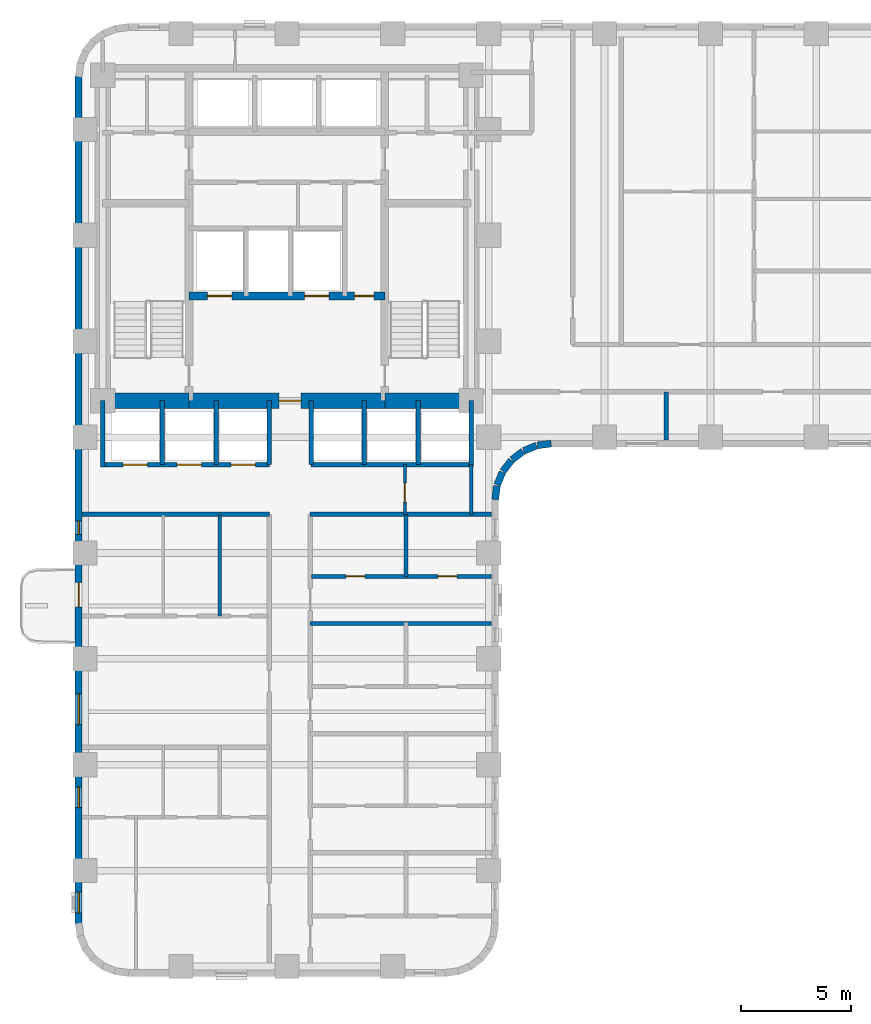
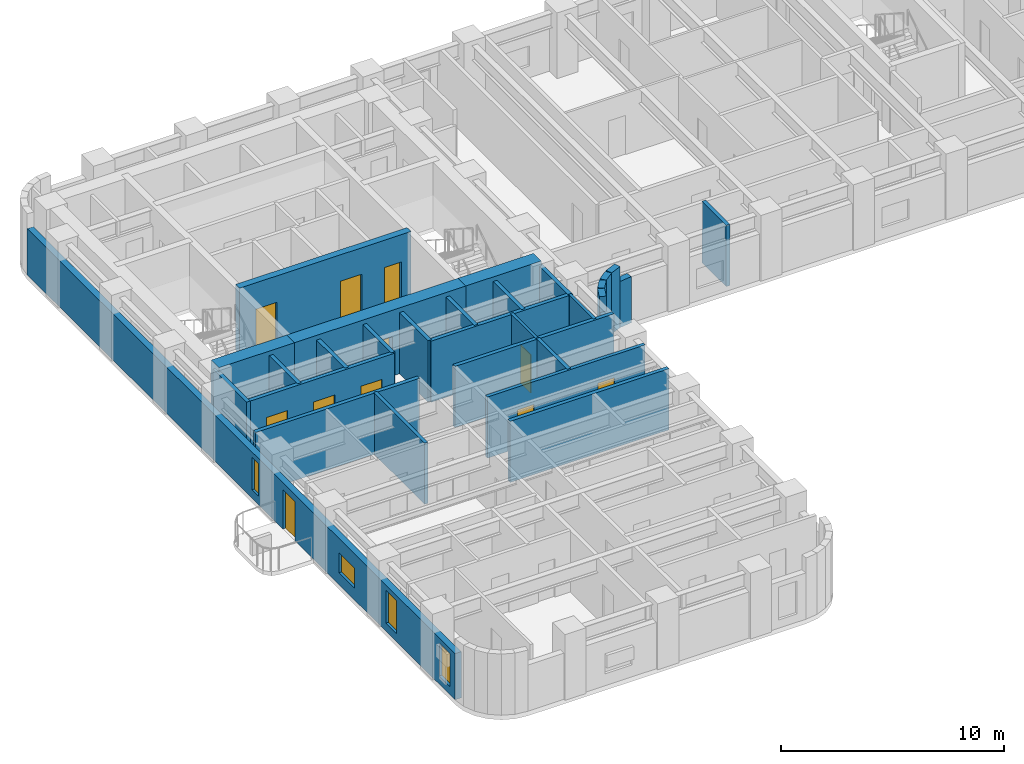
# One storey, part 4 of 12: 30 walls, 11 doors, 4 windows, 15 openings.
"""IFC4 building model written with IfcOpenShell, lengths in metres."""

from ifc_helpers import new_model, si_unit, direction, frame, frame_2d, origin, place, context, subcontext, project, spatial, rectangle, extrude, material, layer, layer_set, type_object, element, fill, save


model = new_model("IFC4")

# Units and contexts
model_context = context("Model", 3, precision=1e-05, world=origin(), true_north=direction((0.0, 1.0)))
body_context = subcontext(model_context, "Body", "Model", "MODEL_VIEW")
ifc_project = project(units=[si_unit("LENGTHUNIT", "METRE"), si_unit("AREAUNIT", "SQUARE_METRE"), si_unit("VOLUMEUNIT", "CUBIC_METRE"), si_unit("PLANEANGLEUNIT", "RADIAN"), si_unit("MASSUNIT", "GRAM", prefix="KILO")], contexts=[model_context])

# Site, building, storey
site_placement = place(None, origin())
site = spatial("IfcSite", under=ifc_project, at=site_placement, CompositionType="ELEMENT")
building_placement = place(site_placement, origin())
building = spatial("IfcBuilding", under=site, at=building_placement, Name="Orvandelia Arch Residences", CompositionType="ELEMENT")
storey_placement = place(building_placement, frame((0.0, 0.0, 57.39990234375)))
storey = spatial("IfcBuildingStorey", under=building, at=storey_placement, Name="L14", CompositionType="ELEMENT", Elevation=57.39990234375)

# Wall, openings, doors
ifc_material_1 = material(Name="Concrete C50/60", Category="concrete")
ifc_layer_1 = layer(ifc_material_1, 0.35009765625, Name="Concrete C50/60", Category="concrete")
ifc_layer_set_1 = layer_set([ifc_layer_1], Name="Concrete C50/60")
wall_type_1 = type_object("IfcWallType", Name="WL-CORE-350", PredefinedType="SHEAR", material=ifc_layer_set_1)
wall_1_placement = place(storey_placement, frame((9.9599609375, 35.64990234375, 0.0), z_axis=(0.0, 0.0, 1.0), x_axis=(1.0, 0.0, 0.0)))
wall_1 = element("IfcWall", 1, at=wall_1_placement, inside=storey, type_object=wall_type_1, Name="Core Shear Wall L14-HZ3", PredefinedType="SHEAR", context=body_context, shape_type="SweptSolid", body=[
    extrude(rectangle(XDim=8.880126953125, YDim=0.35009765625, at=frame_2d((4.43994140625, 0.0))), origin(), (0.0, 0.0, 1.0), 3.60009765625),
])
opening_1_placement = place(wall_1_placement, frame((0.840087890625, 0.0, 0.0)))
opening_1 = element("IfcOpeningElement", 2, at=opening_1_placement, cuts=wall_1, Name="Opening FLD", PredefinedType="OPENING", context=body_context, shape_type="SweptSolid", body=[
    extrude(rectangle(XDim=1.10009765625, YDim=2.14990234375, at=frame_2d((0.550048828125, 1.074951171875))), frame((0.0, 0.18505859375, 0.0), z_axis=(0.0, -1.0, 0.0), x_axis=(1.0, 0.0, 0.0)), (0.0, 0.0, 1.0), 0.3701171875),
])
opening_2_placement = place(wall_1_placement, frame((5.239990234375, 0.0, 0.0)))
opening_2 = element("IfcOpeningElement", 3, at=opening_2_placement, cuts=wall_1, Name="Opening FLD", PredefinedType="OPENING", context=body_context, shape_type="SweptSolid", body=[
    extrude(rectangle(XDim=1.10009765625, YDim=2.14990234375, at=frame_2d((0.550048828125, 1.074951171875))), frame((0.0, 0.18505859375, 0.0), z_axis=(0.0, -1.0, 0.0), x_axis=(1.0, 0.0, 0.0)), (0.0, 0.0, 1.0), 0.3701171875),
])
opening_3_placement = place(wall_1_placement, frame((7.5, 0.0, 0.0)))
opening_3 = element("IfcOpeningElement", 4, at=opening_3_placement, cuts=wall_1, Name="Opening D5", PredefinedType="OPENING", context=body_context, shape_type="SweptSolid", body=[
    extrude(rectangle(XDim=0.8798828125, YDim=2.10009765625, at=frame_2d((0.43994140625, 1.050048828125))), frame((0.0, 0.18505859375, 0.0), z_axis=(0.0, -1.0, 0.0), x_axis=(1.0, 0.0, 0.0)), (0.0, 0.0, 1.0), 0.3701171875),
])
ifc_material_2 = material(Name="Firefighting Lift Stainless Sliding Door")
door_type_1 = type_object("IfcDoorType", Name="DR-FLFT-1100", OperationType="NOTDEFINED", PredefinedType="DOOR", material=ifc_material_2)
door_1_placement = place(opening_1_placement, origin())
door_1 = element("IfcDoor", 5, at=door_1_placement, inside=storey, type_object=door_type_1, Name="Firefighting Lift Landing Door FLD-FL1-L14", OperationType="SLIDING_TO_LEFT", OverallHeight=2.14990234375, OverallWidth=1.10009765625, PredefinedType="DOOR", context=body_context, shape_type="SweptSolid", body=[
    extrude(rectangle(XDim=1.10009765625, YDim=2.14990234375, at=frame_2d((0.550048828125, 1.074951171875))), frame((0.0, 0.02490234375, 0.0), z_axis=(0.0, -1.0, 0.0), x_axis=(1.0, 0.0, 0.0)), (0.0, 0.0, 1.0), 0.050048828125),
])
fill(opening_1, door_1)
door_2_placement = place(opening_2_placement, origin())
door_2 = element("IfcDoor", 6, at=door_2_placement, inside=storey, type_object=door_type_1, Name="Firefighting Lift Landing Door FLD-FL2-L14", OperationType="SLIDING_TO_RIGHT", OverallHeight=2.14990234375, OverallWidth=1.10009765625, PredefinedType="DOOR", context=body_context, shape_type="SweptSolid", body=[
    extrude(rectangle(XDim=1.10009765625, YDim=2.14990234375, at=frame_2d((0.550048828125, 1.074951171875))), frame((0.0, 0.02490234375, 0.0), z_axis=(0.0, -1.0, 0.0), x_axis=(1.0, 0.0, 0.0)), (0.0, 0.0, 1.0), 0.050048828125),
])
fill(opening_2, door_2)
ifc_material_3 = material(Name="Painted Galvanised Steel Service Door", Category="steel")
door_type_2 = type_object("IfcDoorType", Name="DR-SRV-880", OperationType="NOTDEFINED", PredefinedType="DOOR", material=ifc_material_3)
door_3_placement = place(opening_3_placement, origin())
door_3 = element("IfcDoor", 7, at=door_3_placement, inside=storey, type_object=door_type_2, Name="Core Stairway Passage South Fire Door L14", OperationType="SINGLE_SWING_LEFT", OverallHeight=2.10009765625, OverallWidth=0.8798828125, PredefinedType="DOOR", context=body_context, shape_type="SweptSolid", body=[
    extrude(rectangle(XDim=0.8798828125, YDim=2.10009765625, at=frame_2d((0.43994140625, 1.050048828125))), frame((0.0, 0.02490234375, 0.0), z_axis=(0.0, -1.0, 0.0), x_axis=(1.0, 0.0, 0.0)), (0.0, 0.0, 1.0), 0.050048828125),
])
fill(opening_3, door_3)

# Wall
ifc_material_4 = material(Name="Concrete C80/95", Category="concrete")
ifc_layer_2 = layer(ifc_material_4, 0.699951171875, Name="Concrete C80/95", Category="concrete")
ifc_layer_set_2 = layer_set([ifc_layer_2], Name="Concrete C80/95")
wall_type_2 = type_object("IfcWallType", Name="WL-CORE-700", PredefinedType="SHEAR", material=ifc_layer_set_2)
wall_2_placement = place(storey_placement, frame((6.050048828125, 30.89990234375, 0.0), z_axis=(0.0, 0.0, 1.0), x_axis=(1.0, 0.0, 0.0)))
element("IfcWall", 8, at=wall_2_placement, inside=storey, type_object=wall_type_2, Name="Core Shear Wall L14-SW", PredefinedType="SHEAR", context=body_context, shape_type="SweptSolid", body=[
    extrude(rectangle(XDim=3.909912109375, YDim=0.699951171875, at=frame_2d((1.955078125, 0.0))), origin(), (0.0, 0.0, 1.0), 3.60009765625),
])

# Wall, opening, door
wall_3_placement = place(storey_placement, frame((9.9599609375, 30.89990234375, 0.0), z_axis=(0.0, 0.0, 1.0), x_axis=(1.0, 0.0, 0.0)))
wall_3 = element("IfcWall", 9, at=wall_3_placement, inside=storey, type_object=wall_type_2, Name="Core Shear Wall L14-SM", PredefinedType="SHEAR", context=body_context, shape_type="SweptSolid", body=[
    extrude(rectangle(XDim=8.880126953125, YDim=0.699951171875, at=frame_2d((4.43994140625, 0.0))), origin(), (0.0, 0.0, 1.0), 3.60009765625),
])
opening_4_placement = place(wall_3_placement, frame((4.090087890625, 0.0, 0.0)))
opening_4 = element("IfcOpeningElement", 10, at=opening_4_placement, cuts=wall_3, Name="Opening D6", PredefinedType="OPENING", context=body_context, shape_type="SweptSolid", body=[
    extrude(rectangle(XDim=1.0, YDim=2.14990234375, at=frame_2d((0.5, 1.074951171875))), frame((0.0, 0.35986328125, 0.0), z_axis=(0.0, -1.0, 0.0), x_axis=(1.0, 0.0, 0.0)), (0.0, 0.0, 1.0), 0.719970703125),
])
ifc_material_5 = material(Name="Smokeproof Painted Steel Fire Door", Category="steel")
door_type_3 = type_object("IfcDoorType", Name="DR-FD60-1000", OperationType="NOTDEFINED", PredefinedType="DOOR", material=ifc_material_5)
door_4_placement = place(opening_4_placement, origin())
door_4 = element("IfcDoor", 11, at=door_4_placement, inside=storey, type_object=door_type_3, Name="Firefighting Lobby Smokeproof Door L14", OperationType="SINGLE_SWING_LEFT", OverallHeight=2.14990234375, OverallWidth=1.0, PredefinedType="DOOR", context=body_context, shape_type="SweptSolid", body=[
    extrude(rectangle(XDim=1.0, YDim=2.14990234375, at=frame_2d((0.5, 1.074951171875))), frame((0.0, 0.02490234375, 0.0), z_axis=(0.0, -1.0, 0.0), x_axis=(1.0, 0.0, 0.0)), (0.0, 0.0, 1.0), 0.050048828125),
])
fill(opening_4, door_4)

# Walls
wall_4_placement = place(storey_placement, frame((18.840087890625, 30.89990234375, 0.0), z_axis=(0.0, 0.0, 1.0), x_axis=(1.0, 0.0, 0.0)))
element("IfcWall", 12, at=wall_4_placement, inside=storey, type_object=wall_type_2, Name="Core Shear Wall L14-SE", PredefinedType="SHEAR", context=body_context, shape_type="SweptSolid", body=[
    extrude(rectangle(XDim=3.909912109375, YDim=0.699951171875, at=frame_2d((1.955078125, 0.0))), origin(), (0.0, 0.0, 1.0), 3.60009765625),
])
ifc_material_6 = material(Name="Fire-Rated Corridor Partition")
ifc_layer_3 = layer(ifc_material_6, 0.199951171875, Name="Fire-Rated Corridor Partition")
ifc_layer_set_3 = layer_set([ifc_layer_3], Name="Fire-Rated Corridor Partition")
wall_type_3 = type_object("IfcWallType", Name="WL-CORR-200", PredefinedType="PARTITIONING", material=ifc_layer_set_3)
wall_5_placement = place(storey_placement, frame((5.1201171875, 25.75, 0.0), z_axis=(0.0, 0.0, 1.0), x_axis=(1.0, 0.0, 0.0)))
element("IfcWall", 13, at=wall_5_placement, inside=storey, type_object=wall_type_3, Name="Interior Partition Wall WL-L14-WCLS-W", PredefinedType="PARTITIONING", context=body_context, shape_type="SweptSolid", body=[
    extrude(rectangle(XDim=8.47998046875, YDim=0.199951171875, at=frame_2d((4.239990234375, 0.0))), origin(), (0.0, 0.0, 1.0), 3.35009765625),
])
wall_6_placement = place(storey_placement, frame((15.449951171875, 25.75, 0.0), z_axis=(0.0, 0.0, 1.0), x_axis=(1.0, 0.0, 0.0)))
element("IfcWall", 14, at=wall_6_placement, inside=storey, type_object=wall_type_3, Name="Interior Partition Wall WL-L14-WCLS-E", PredefinedType="PARTITIONING", context=body_context, shape_type="SweptSolid", body=[
    extrude(rectangle(XDim=8.22998046875, YDim=0.199951171875, at=frame_2d((4.114990234375, 0.0))), origin(), (0.0, 0.0, 1.0), 3.35009765625),
])
ifc_material_7 = material(Name="Concrete C40/50", Category="concrete")
ifc_layer_4 = layer(ifc_material_7, 0.199951171875, Name="Concrete C40/50", Category="concrete")
ifc_layer_set_4 = layer_set([ifc_layer_4], Name="Concrete C40/50")
wall_type_4 = type_object("IfcWallType", Name="WL-DEM-200", PredefinedType="SOLIDWALL", material=ifc_layer_set_4)
wall_7_placement = place(storey_placement, frame((15.449951171875, 20.800048828125, 0.0), z_axis=(0.0, 0.0, 1.0), x_axis=(1.0, 0.0, 0.0)))
element("IfcWall", 15, at=wall_7_placement, inside=storey, type_object=wall_type_4, Name="Interior Partition Wall WL-L14-DEM-WR-208", PredefinedType="SOLIDWALL", context=body_context, shape_type="SweptSolid", body=[
    extrude(rectangle(XDim=8.22998046875, YDim=0.199951171875, at=frame_2d((4.114990234375, 0.0))), origin(), (0.0, 0.0, 1.0), 3.35009765625),
])
wall_8_placement = place(storey_placement, frame((31.60009765625, 29.1201171875, 0.0), z_axis=(0.0, 0.0, 1.0), x_axis=(0.0, 1.0, 0.0)))
element("IfcWall", 16, at=wall_8_placement, inside=storey, type_object=wall_type_4, Name="Interior Partition Wall WL-L14-ESSD-1", PredefinedType="SOLIDWALL", context=body_context, shape_type="SweptSolid", body=[
    extrude(rectangle(XDim=2.179931640625, YDim=0.199951171875, at=frame_2d((1.08984375, 0.0))), origin(), (0.0, 0.0, 1.0), 3.35009765625),
])
ifc_material_8 = material(Name="Precast concrete C40/50", Category="concrete")
ifc_layer_5 = layer(ifc_material_8, 0.320068359375, Name="Precast concrete C40/50", Category="concrete")
ifc_layer_set_5 = layer_set([ifc_layer_5], Name="Precast concrete C40/50")
wall_type_5 = type_object("IfcWallType", Name="WL-EXT-STONE-320", PredefinedType="STANDARD", material=ifc_layer_set_5)
wall_9_placement = place(storey_placement, frame((26.379150390625, 28.95849609375, 0.0), z_axis=(0.0, 0.0, 1.0), x_axis=(-0.991447664465, -0.130504898859, 0.0)))
element("IfcWall", 17, at=wall_9_placement, inside=storey, type_object=wall_type_5, Name="Coral-Limestone Precast Facade Wall L14-022", PredefinedType="STANDARD", context=body_context, shape_type="SweptSolid", body=[
    extrude(rectangle(XDim=0.626708984375, YDim=0.320068359375, at=frame_2d((0.3134765625, 0.0))), origin(), (0.0, 0.0, 1.0), 2.530029296875),
])
wall_10_placement = place(storey_placement, frame((25.717529296875, 28.865966796875, 0.0), z_axis=(0.0, 0.0, 1.0), x_axis=(-0.923836271867, -0.382787856107, 0.0)))
element("IfcWall", 18, at=wall_10_placement, inside=storey, type_object=wall_type_5, Name="Coral-Limestone Precast Facade Wall L14-023", PredefinedType="STANDARD", context=body_context, shape_type="SweptSolid", body=[
    extrude(rectangle(XDim=0.626220703125, YDim=0.320068359375, at=frame_2d((0.31298828125, 0.0))), origin(), (0.0, 0.0, 1.0), 3.35009765625),
])
for number, where, z_axis, x_axis, name in (
    (19, (25.1025390625, 28.60546875, 0.0), (0.0, 0.0, 1.0), (-0.793405610854, -0.608693302629, 0.0), "Coral-Limestone Precast Facade Wall L14-024"),
    (20, (24.575927734375, 28.194580078125, 0.0), (0.0, 0.0, 1.0), (-0.608693302629, -0.793405610854, 0.0), "Coral-Limestone Precast Facade Wall L14-025"),
):
    element("IfcWall", number, at=place(storey_placement, frame(where, z_axis=z_axis, x_axis=x_axis)), inside=storey, type_object=wall_type_5, Name=name, PredefinedType="STANDARD", context=body_context, shape_type="SweptSolid", body=[
        extrude(rectangle(XDim=0.62646484375, YDim=0.320068359375, at=frame_2d((0.313232421875, 0.0))), origin(), (0.0, 0.0, 1.0), 3.35009765625),
    ])
wall_11_placement = place(storey_placement, frame((24.173583984375, 27.6611328125, 0.0), z_axis=(0.0, 0.0, 1.0), x_axis=(-0.382455093999, -0.923974080304, 0.0)))
element("IfcWall", 21, at=wall_11_placement, inside=storey, type_object=wall_type_5, Name="Coral-Limestone Precast Facade Wall L14-026", PredefinedType="STANDARD", context=body_context, shape_type="SweptSolid", body=[
    extrude(rectangle(XDim=0.626220703125, YDim=0.320068359375, at=frame_2d((0.31298828125, 0.0))), origin(), (0.0, 0.0, 1.0), 3.35009765625),
])
wall_12_placement = place(storey_placement, frame((23.923095703125, 27.0419921875, 0.0), z_axis=(0.0, 0.0, 1.0), x_axis=(-0.130555323746, -0.9914410257, 0.0)))
element("IfcWall", 22, at=wall_12_placement, inside=storey, type_object=wall_type_5, Name="Coral-Limestone Precast Facade Wall L14-027", PredefinedType="STANDARD", context=body_context, shape_type="SweptSolid", body=[
    extrude(rectangle(XDim=0.62646484375, YDim=0.320068359375, at=frame_2d((0.313232421875, 0.0))), origin(), (0.0, 0.0, 1.0), 2.530029296875),
])

# Wall, openings, door, windows
wall_13_placement = place(storey_placement, frame((4.9599609375, 7.199951171875, 0.0), z_axis=(0.0, 0.0, 1.0), x_axis=(0.0, 1.0, 0.0)))
wall_13 = element("IfcWall", 23, at=wall_13_placement, inside=storey, type_object=wall_type_5, Name="Coral-Limestone Precast Facade Wall L14-042", PredefinedType="STANDARD", context=body_context, shape_type="SweptSolid", body=[
    extrude(rectangle(XDim=38.400146484375, YDim=0.320068359375, at=frame_2d((19.2001953125, 0.0))), origin(), (0.0, 0.0, 1.0), 2.530029296875),
])
opening_5_placement = place(wall_13_placement, frame((14.35009765625, 0.0, 0.0)))
opening_5 = element("IfcOpeningElement", 24, at=opening_5_placement, cuts=wall_13, Name="Opening BD1", PredefinedType="OPENING", context=body_context, shape_type="SweptSolid", body=[
    extrude(rectangle(XDim=1.10009765625, YDim=2.14990234375, at=frame_2d((0.550048828125, 1.074951171875))), frame((0.0, 0.169921875, 0.0), z_axis=(0.0, -1.0, 0.0), x_axis=(1.0, 0.0, 0.0)), (0.0, 0.0, 1.0), 0.340087890625),
])
opening_6_placement = place(wall_13_placement, frame((5.2490234375, 0.0, 0.449951171875)))
opening_6 = element("IfcOpeningElement", 25, at=opening_6_placement, cuts=wall_13, Name="Opening W4", PredefinedType="OPENING", context=body_context, shape_type="SweptSolid", body=[
    extrude(rectangle(XDim=0.949951171875, YDim=1.800048828125, at=frame_2d((0.47509765625, 0.89990234375))), frame((0.0, 0.169921875, 0.0), z_axis=(0.0, -1.0, 0.0), x_axis=(1.0, 0.0, 0.0)), (0.0, 0.0, 1.0), 0.340087890625),
])
opening_7_placement = place(wall_13_placement, frame((17.64501953125, 0.0, 0.449951171875)))
opening_7 = element("IfcOpeningElement", 26, at=opening_7_placement, cuts=wall_13, Name="Opening W12", PredefinedType="OPENING", context=body_context, shape_type="SweptSolid", body=[
    extrude(rectangle(XDim=0.60009765625, YDim=1.800048828125, at=frame_2d((0.300048828125, 0.89990234375))), frame((0.0, 0.169921875, 0.0), z_axis=(0.0, -1.0, 0.0), x_axis=(1.0, 0.0, 0.0)), (0.0, 0.0, 1.0), 0.340087890625),
])
opening_8_placement = place(wall_13_placement, frame((0.469970703125, 0.0, 0.449951171875)))
opening_8 = element("IfcOpeningElement", 27, at=opening_8_placement, cuts=wall_13, Name="Opening W4", PredefinedType="OPENING", context=body_context, shape_type="SweptSolid", body=[
    extrude(rectangle(XDim=0.949951171875, YDim=1.800048828125, at=frame_2d((0.47509765625, 0.89990234375))), frame((0.0, 0.169921875, 0.0), z_axis=(0.0, -1.0, 0.0), x_axis=(1.0, 0.0, 0.0)), (0.0, 0.0, 1.0), 0.340087890625),
])
opening_9_placement = place(wall_13_placement, frame((9.014892578125, 0.0, 0.64990234375)))
opening_9 = element("IfcOpeningElement", 28, at=opening_9_placement, cuts=wall_13, Name="Opening W10", PredefinedType="OPENING", context=body_context, shape_type="SweptSolid", body=[
    extrude(rectangle(XDim=1.39990234375, YDim=1.10009765625, at=frame_2d((0.699951171875, 0.550048828125))), frame((0.0, 0.169921875, 0.0), z_axis=(0.0, -1.0, 0.0), x_axis=(1.0, 0.0, 0.0)), (0.0, 0.0, 1.0), 0.340087890625),
])
ifc_material_9 = material(Name="Thermally Broken Aluminium Glazed Door", Category="aluminium")
door_type_4 = type_object("IfcDoorType", Name="DR-BAL-GLAZ-1100", OperationType="NOTDEFINED", PredefinedType="DOOR", material=ifc_material_9)
door_5_placement = place(opening_5_placement, origin())
door_5 = element("IfcDoor", 29, at=door_5_placement, inside=storey, type_object=door_type_4, Name="Tree Balcony Glazed Door BAL-L14-W1", OperationType="SINGLE_SWING_RIGHT", OverallHeight=2.14990234375, OverallWidth=1.10009765625, PredefinedType="DOOR", context=body_context, shape_type="SweptSolid", body=[
    extrude(rectangle(XDim=1.10009765625, YDim=2.14990234375, at=frame_2d((0.550048828125, 1.074951171875))), frame((0.0, 0.02490234375, 0.0), z_axis=(0.0, -1.0, 0.0), x_axis=(1.0, 0.0, 0.0)), (0.0, 0.0, 1.0), 0.050048828125),
])
fill(opening_5, door_5)
ifc_material_10 = material(Name="Tempered Low-E Insulated Glazing", Category="glass")
window_type_1 = type_object("IfcWindowType", Name="WIN-CLR-1400x1100", PartitioningType="SINGLE_PANEL", PredefinedType="WINDOW", material=ifc_material_10)
window_1_placement = place(opening_9_placement, origin())
window_1 = element("IfcWindow", 30, at=window_1_placement, inside=storey, type_object=window_type_1, Name="Recessed Punched Window L14-028", OverallHeight=1.10009765625, OverallWidth=1.39990234375, PartitioningType="SINGLE_PANEL", PredefinedType="WINDOW", context=body_context, shape_type="SweptSolid", body=[
    extrude(rectangle(XDim=1.39990234375, YDim=1.10009765625, at=frame_2d((0.699951171875, 0.550048828125))), frame((0.0, 0.030029296875, 0.0), z_axis=(0.0, -1.0, 0.0), x_axis=(1.0, 0.0, 0.0)), (0.0, 0.0, 1.0), 0.06005859375),
])
fill(opening_9, window_1)
window_type_2 = type_object("IfcWindowType", Name="WIN-LAN-0600x1800", PartitioningType="SINGLE_PANEL", PredefinedType="WINDOW", material=ifc_material_10)
window_2_placement = place(opening_7_placement, origin())
window_2 = element("IfcWindow", 31, at=window_2_placement, inside=storey, type_object=window_type_2, Name="Recessed Punched Window L14-026", OverallHeight=1.800048828125, OverallWidth=0.60009765625, PartitioningType="SINGLE_PANEL", PredefinedType="WINDOW", context=body_context, shape_type="SweptSolid", body=[
    extrude(rectangle(XDim=0.60009765625, YDim=1.800048828125, at=frame_2d((0.300048828125, 0.89990234375))), frame((0.0, 0.030029296875, 0.0), z_axis=(0.0, -1.0, 0.0), x_axis=(1.0, 0.0, 0.0)), (0.0, 0.0, 1.0), 0.06005859375),
])
fill(opening_7, window_2)
window_type_3 = type_object("IfcWindowType", Name="WIN-RES-0950x1800", PartitioningType="SINGLE_PANEL", PredefinedType="WINDOW", material=ifc_material_10)
window_3_placement = place(opening_6_placement, origin())
window_3 = element("IfcWindow", 32, at=window_3_placement, inside=storey, type_object=window_type_3, Name="Recessed Punched Window L14-025", OverallHeight=1.800048828125, OverallWidth=0.949951171875, PartitioningType="SINGLE_PANEL", PredefinedType="WINDOW", context=body_context, shape_type="SweptSolid", body=[
    extrude(rectangle(XDim=0.949951171875, YDim=1.800048828125, at=frame_2d((0.47509765625, 0.89990234375))), frame((0.0, 0.030029296875, 0.0), z_axis=(0.0, -1.0, 0.0), x_axis=(1.0, 0.0, 0.0)), (0.0, 0.0, 1.0), 0.06005859375),
])
fill(opening_6, window_3)
window_4_placement = place(opening_8_placement, origin())
window_4 = element("IfcWindow", 33, at=window_4_placement, inside=storey, type_object=window_type_3, Name="Recessed Punched Window L14-027", OverallHeight=1.800048828125, OverallWidth=0.949951171875, PartitioningType="SINGLE_PANEL", PredefinedType="WINDOW", context=body_context, shape_type="SweptSolid", body=[
    extrude(rectangle(XDim=0.949951171875, YDim=1.800048828125, at=frame_2d((0.47509765625, 0.89990234375))), frame((0.0, 0.030029296875, 0.0), z_axis=(0.0, -1.0, 0.0), x_axis=(1.0, 0.0, 0.0)), (0.0, 0.0, 1.0), 0.06005859375),
])
fill(opening_8, window_4)

# Wall, opening, door
ifc_material_11 = material(Name="Acoustic Gypsum Stud Partition")
ifc_layer_6 = layer(ifc_material_11, 0.14990234375, Name="Acoustic Gypsum Stud Partition")
ifc_layer_set_6 = layer_set([ifc_layer_6], Name="Acoustic Gypsum Stud Partition")
wall_type_6 = type_object("IfcWallType", Name="WL-PART-150", PredefinedType="PARTITIONING", material=ifc_layer_set_6)
wall_14_placement = place(storey_placement, frame((19.75, 25.75, 0.0), z_axis=(0.0, 0.0, 1.0), x_axis=(0.0, 1.0, 0.0)))
wall_14 = element("IfcWall", 34, at=wall_14_placement, inside=storey, type_object=wall_type_6, Name="Interior Partition Wall WL-L14-HLS-EW3", PredefinedType="PARTITIONING", context=body_context, shape_type="SweptSolid", body=[
    extrude(rectangle(XDim=2.25, YDim=0.14990234375, at=frame_2d((1.125, 0.0))), origin(), (0.0, 0.0, 1.0), 3.35009765625),
])
opening_10_placement = place(wall_14_placement, frame((0.550048828125, 0.0, 0.0)))
opening_10 = element("IfcOpeningElement", 35, at=opening_10_placement, cuts=wall_14, Name="Opening D5", PredefinedType="OPENING", context=body_context, shape_type="SweptSolid", body=[
    extrude(rectangle(XDim=0.8798828125, YDim=2.10009765625, at=frame_2d((0.43994140625, 1.050048828125))), frame((0.0, 0.0849609375, 0.0), z_axis=(0.0, -1.0, 0.0), x_axis=(1.0, 0.0, 0.0)), (0.0, 0.0, 1.0), 0.169921875),
])
door_6_placement = place(opening_10_placement, origin())
door_6 = element("IfcDoor", 36, at=door_6_placement, inside=storey, type_object=door_type_2, Name="DR-L14-CSZ1A", OperationType="SINGLE_SWING_RIGHT", OverallHeight=2.10009765625, OverallWidth=0.8798828125, PredefinedType="DOOR", context=body_context, shape_type="SweptSolid", body=[
    extrude(rectangle(XDim=0.8798828125, YDim=2.10009765625, at=frame_2d((0.43994140625, 1.050048828125))), frame((0.0, 0.02490234375, 0.0), z_axis=(0.0, -1.0, 0.0), x_axis=(1.0, 0.0, 0.0)), (0.0, 0.0, 1.0), 0.050048828125),
])
fill(opening_10, door_6)

# Wall
wall_15_placement = place(storey_placement, frame((22.75, 25.75, 0.0), z_axis=(0.0, 0.0, 1.0), x_axis=(0.0, 1.0, 0.0)))
element("IfcWall", 37, at=wall_15_placement, inside=storey, type_object=wall_type_6, Name="Interior Partition Wall WL-L14-HLS-EE", PredefinedType="PARTITIONING", context=body_context, shape_type="SweptSolid", body=[
    extrude(rectangle(XDim=2.25, YDim=0.14990234375, at=frame_2d((1.125, 0.0))), origin(), (0.0, 0.0, 1.0), 3.35009765625),
])

# Wall, openings, doors
ifc_material_12 = material(Name="Fire-Rated Shaft Enclosure Wall")
ifc_layer_7 = layer(ifc_material_12, 0.199951171875, Name="Fire-Rated Shaft Enclosure Wall")
ifc_layer_set_7 = layer_set([ifc_layer_7], Name="Fire-Rated Shaft Enclosure Wall")
wall_type_7 = type_object("IfcWallType", Name="WL-SHAFT-200", PredefinedType="POLYGONAL", material=ifc_layer_set_7)
wall_16_placement = place(storey_placement, frame((6.050048828125, 28.0, 0.0), z_axis=(0.0, 0.0, 1.0), x_axis=(1.0, 0.0, 0.0)))
wall_16 = element("IfcWall", 38, at=wall_16_placement, inside=storey, type_object=wall_type_7, Name="Interior Partition Wall WL-L14-BNKL-S", PredefinedType="POLYGONAL", context=body_context, shape_type="SweptSolid", body=[
    extrude(rectangle(XDim=7.550048828125, YDim=0.199951171875, at=frame_2d((3.77490234375, 0.0))), origin(), (0.0, 0.0, 1.0), 3.35009765625),
])
opening_11_placement = place(wall_16_placement, frame((0.925048828125, 0.0, 0.0)))
opening_11 = element("IfcOpeningElement", 39, at=opening_11_placement, cuts=wall_16, Name="Opening LD", PredefinedType="OPENING", context=body_context, shape_type="SweptSolid", body=[
    extrude(rectangle(XDim=1.10009765625, YDim=2.14990234375, at=frame_2d((0.550048828125, 1.074951171875))), frame((0.0, 0.10986328125, 0.0), z_axis=(0.0, -1.0, 0.0), x_axis=(1.0, 0.0, 0.0)), (0.0, 0.0, 1.0), 0.219970703125),
])
opening_12_placement = place(wall_16_placement, frame((3.375, 0.0, 0.0)))
opening_12 = element("IfcOpeningElement", 40, at=opening_12_placement, cuts=wall_16, Name="Opening LD", PredefinedType="OPENING", context=body_context, shape_type="SweptSolid", body=[
    extrude(rectangle(XDim=1.10009765625, YDim=2.14990234375, at=frame_2d((0.550048828125, 1.074951171875))), frame((0.0, 0.10986328125, 0.0), z_axis=(0.0, -1.0, 0.0), x_axis=(1.0, 0.0, 0.0)), (0.0, 0.0, 1.0), 0.219970703125),
])
opening_13_placement = place(wall_16_placement, frame((5.824951171875, 0.0, 0.0)))
opening_13 = element("IfcOpeningElement", 41, at=opening_13_placement, cuts=wall_16, Name="Opening LD", PredefinedType="OPENING", context=body_context, shape_type="SweptSolid", body=[
    extrude(rectangle(XDim=1.10009765625, YDim=2.14990234375, at=frame_2d((0.550048828125, 1.074951171875))), frame((0.0, 0.10986328125, 0.0), z_axis=(0.0, -1.0, 0.0), x_axis=(1.0, 0.0, 0.0)), (0.0, 0.0, 1.0), 0.219970703125),
])
ifc_material_13 = material(Name="Brushed Stainless Steel Sliding Lift Door", Category="steel")
door_type_5 = type_object("IfcDoorType", Name="DR-LIFT-1100", OperationType="NOTDEFINED", PredefinedType="DOOR", material=ifc_material_13)
door_7_placement = place(opening_11_placement, origin())
door_7 = element("IfcDoor", 42, at=door_7_placement, inside=storey, type_object=door_type_5, Name="Lift Landing Door LD-PL1", OperationType="SLIDING_TO_LEFT", OverallHeight=2.14990234375, OverallWidth=1.10009765625, PredefinedType="DOOR", context=body_context, shape_type="SweptSolid", body=[
    extrude(rectangle(XDim=1.10009765625, YDim=2.14990234375, at=frame_2d((0.550048828125, 1.074951171875))), frame((0.0, 0.02490234375, 0.0), z_axis=(0.0, -1.0, 0.0), x_axis=(1.0, 0.0, 0.0)), (0.0, 0.0, 1.0), 0.050048828125),
])
fill(opening_11, door_7)
door_8_placement = place(opening_12_placement, origin())
door_8 = element("IfcDoor", 43, at=door_8_placement, inside=storey, type_object=door_type_5, Name="Lift Landing Door LD-PL2", OperationType="SLIDING_TO_RIGHT", OverallHeight=2.14990234375, OverallWidth=1.10009765625, PredefinedType="DOOR", context=body_context, shape_type="SweptSolid", body=[
    extrude(rectangle(XDim=1.10009765625, YDim=2.14990234375, at=frame_2d((0.550048828125, 1.074951171875))), frame((0.0, 0.02490234375, 0.0), z_axis=(0.0, -1.0, 0.0), x_axis=(1.0, 0.0, 0.0)), (0.0, 0.0, 1.0), 0.050048828125),
])
fill(opening_12, door_8)
door_9_placement = place(opening_13_placement, origin())
door_9 = element("IfcDoor", 44, at=door_9_placement, inside=storey, type_object=door_type_5, Name="Lift Landing Door LD-PL3", OperationType="SLIDING_TO_LEFT", OverallHeight=2.14990234375, OverallWidth=1.10009765625, PredefinedType="DOOR", context=body_context, shape_type="SweptSolid", body=[
    extrude(rectangle(XDim=1.10009765625, YDim=2.14990234375, at=frame_2d((0.550048828125, 1.074951171875))), frame((0.0, 0.02490234375, 0.0), z_axis=(0.0, -1.0, 0.0), x_axis=(1.0, 0.0, 0.0)), (0.0, 0.0, 1.0), 0.050048828125),
])
fill(opening_13, door_9)

# Walls
wall_17_placement = place(storey_placement, frame((15.5, 28.0, 0.0), z_axis=(0.0, 0.0, 1.0), x_axis=(1.0, 0.0, 0.0)))
element("IfcWall", 45, at=wall_17_placement, inside=storey, type_object=wall_type_7, Name="Interior Partition Wall WL-L14-BNKM-S", PredefinedType="POLYGONAL", context=body_context, shape_type="SweptSolid", body=[
    extrude(rectangle(XDim=7.25, YDim=0.199951171875, at=frame_2d((3.625, 0.0))), origin(), (0.0, 0.0, 1.0), 3.35009765625),
])
for number, where, z_axis, x_axis, name in (
    (46, (6.050048828125, 27.89990234375, 0.0), (0.0, 0.0, 1.0), (0.0, 1.0, 0.0), "Interior Partition Wall WL-L14-BNKL-W"),
    (47, (22.75, 27.89990234375, 0.0), (0.0, 0.0, 1.0), (0.0, 1.0, 0.0), "Interior Partition Wall WL-L14-BNKM-E"),
):
    element("IfcWall", number, at=place(storey_placement, frame(where, z_axis=z_axis, x_axis=x_axis)), inside=storey, type_object=wall_type_7, Name=name, PredefinedType="POLYGONAL", context=body_context, shape_type="SweptSolid", body=[
        extrude(rectangle(XDim=3.0, YDim=0.199951171875, at=frame_2d((1.5, 0.0))), origin(), (0.0, 0.0, 1.0), 3.35009765625),
    ])
for number, where, z_axis, x_axis, name in (
    (48, (13.60009765625, 28.0, 0.0), (0.0, 0.0, 1.0), (0.0, 1.0, 0.0), "Interior Partition Wall WL-L14-BNKL-E"),
    (49, (15.5, 28.0, 0.0), (0.0, 0.0, 1.0), (0.0, 1.0, 0.0), "Interior Partition Wall WL-L14-BNKM-W"),
    (50, (8.75, 28.0, 0.0), (0.0, 0.0, 1.0), (0.0, 1.0, 0.0), "Interior Partition Wall WL-L14-BNKD-875"),
    (51, (11.199951171875, 28.0, 0.0), (0.0, 0.0, 1.0), (0.0, 1.0, 0.0), "Interior Partition Wall WL-L14-BNKD-1120"),
    (52, (17.89990234375, 28.0, 0.0), (0.0, 0.0, 1.0), (0.0, 1.0, 0.0), "Interior Partition Wall WL-L14-BNKD-1789"),
    (53, (20.35009765625, 28.0, 0.0), (0.0, 0.0, 1.0), (0.0, 1.0, 0.0), "Interior Partition Wall WL-L14-BNKD-2035"),
):
    element("IfcWall", number, at=place(storey_placement, frame(where, z_axis=z_axis, x_axis=x_axis)), inside=storey, type_object=wall_type_7, Name=name, PredefinedType="POLYGONAL", context=body_context, shape_type="SweptSolid", body=[
        extrude(rectangle(XDim=2.89990234375, YDim=0.199951171875, at=frame_2d((1.449951171875, 0.0))), origin(), (0.0, 0.0, 1.0), 3.35009765625),
    ])
ifc_material_14 = material(Name="Moisture-Resistant Plumbing Wall")
ifc_layer_8 = layer(ifc_material_14, 0.179931640625, Name="Moisture-Resistant Plumbing Wall")
ifc_layer_set_8 = layer_set([ifc_layer_8], Name="Moisture-Resistant Plumbing Wall")
wall_type_8 = type_object("IfcWallType", Name="WL-WET-180", PredefinedType="PLUMBINGWALL", material=ifc_layer_set_8)
wall_18_placement = place(storey_placement, frame((11.35498046875, 21.132080078125, 0.0), z_axis=(0.0, 0.0, 1.0), x_axis=(0.0, 1.0, 0.0)))
element("IfcWall", 54, at=wall_18_placement, inside=storey, type_object=wall_type_8, Name="Interior Partition Wall WL-L14-U02-V2", PredefinedType="PLUMBINGWALL", context=body_context, shape_type="SweptSolid", body=[
    extrude(rectangle(XDim=4.587890625, YDim=0.179931640625, at=frame_2d((2.2939453125, 0.0))), origin(), (0.0, 0.0, 1.0), 3.35009765625),
])

# Wall, openings, doors
wall_19_placement = place(storey_placement, frame((15.510009765625, 22.93994140625, 0.0), z_axis=(0.0, 0.0, 1.0), x_axis=(1.0, 0.0, 0.0)))
wall_19 = element("IfcWall", 55, at=wall_19_placement, inside=storey, type_object=wall_type_8, Name="Interior Partition Wall WL-L14-U06-HZ", PredefinedType="PLUMBINGWALL", context=body_context, shape_type="SweptSolid", body=[
    extrude(rectangle(XDim=8.169921875, YDim=0.179931640625, at=frame_2d((4.0849609375, 0.0))), origin(), (0.0, 0.0, 1.0), 3.35009765625),
])
opening_14_placement = place(wall_19_placement, frame((1.56494140625, 0.0, 0.0)))
opening_14 = element("IfcOpeningElement", 56, at=opening_14_placement, cuts=wall_19, Name="Opening D4", PredefinedType="OPENING", context=body_context, shape_type="SweptSolid", body=[
    extrude(rectangle(XDim=0.860107421875, YDim=2.10009765625, at=frame_2d((0.43017578125, 1.050048828125))), frame((0.0, 0.10009765625, 0.0), z_axis=(0.0, -1.0, 0.0), x_axis=(1.0, 0.0, 0.0)), (0.0, 0.0, 1.0), 0.199951171875),
])
opening_15_placement = place(wall_19_placement, frame((5.72998046875, 0.0, 0.0)))
opening_15 = element("IfcOpeningElement", 57, at=opening_15_placement, cuts=wall_19, Name="Opening D4", PredefinedType="OPENING", context=body_context, shape_type="SweptSolid", body=[
    extrude(rectangle(XDim=0.860107421875, YDim=2.10009765625, at=frame_2d((0.43017578125, 1.050048828125))), frame((0.0, 0.10009765625, 0.0), z_axis=(0.0, -1.0, 0.0), x_axis=(1.0, 0.0, 0.0)), (0.0, 0.0, 1.0), 0.199951171875),
])
ifc_material_15 = material(Name="Moisture-Sealed Timber Bathroom Door", Category="wood")
door_type_6 = type_object("IfcDoorType", Name="DR-WET-900", OperationType="NOTDEFINED", PredefinedType="DOOR", material=ifc_material_15)
door_10_placement = place(opening_14_placement, origin())
door_10 = element("IfcDoor", 58, at=door_10_placement, inside=storey, type_object=door_type_6, Name="DR-L14-U06-KIT", OperationType="SINGLE_SWING_RIGHT", OverallHeight=2.10009765625, OverallWidth=0.860107421875, PredefinedType="DOOR", context=body_context, shape_type="SweptSolid", body=[
    extrude(rectangle(XDim=0.860107421875, YDim=2.10009765625, at=frame_2d((0.43017578125, 1.050048828125))), frame((0.0, 0.02490234375, 0.0), z_axis=(0.0, -1.0, 0.0), x_axis=(1.0, 0.0, 0.0)), (0.0, 0.0, 1.0), 0.050048828125),
])
fill(opening_14, door_10)
door_11_placement = place(opening_15_placement, origin())
door_11 = element("IfcDoor", 59, at=door_11_placement, inside=storey, type_object=door_type_6, Name="DR-L14-U06-BTH", OperationType="SINGLE_SWING_LEFT", OverallHeight=2.10009765625, OverallWidth=0.860107421875, PredefinedType="DOOR", context=body_context, shape_type="SweptSolid", body=[
    extrude(rectangle(XDim=0.860107421875, YDim=2.10009765625, at=frame_2d((0.43017578125, 1.050048828125))), frame((0.0, 0.02490234375, 0.0), z_axis=(0.0, -1.0, 0.0), x_axis=(1.0, 0.0, 0.0)), (0.0, 0.0, 1.0), 0.050048828125),
])
fill(opening_15, door_11)

# Wall
wall_20_placement = place(storey_placement, frame((19.7900390625, 22.93994140625, 0.0), z_axis=(0.0, 0.0, 1.0), x_axis=(0.0, 1.0, 0.0)))
element("IfcWall", 60, at=wall_20_placement, inside=storey, type_object=wall_type_8, Name="Interior Partition Wall WL-L14-U06-V1", PredefinedType="PLUMBINGWALL", context=body_context, shape_type="SweptSolid", body=[
    extrude(rectangle(XDim=2.780029296875, YDim=0.179931640625, at=frame_2d((1.39013671875, 0.0))), origin(), (0.0, 0.0, 1.0), 3.35009765625),
])

save(model, "model.ifc")
